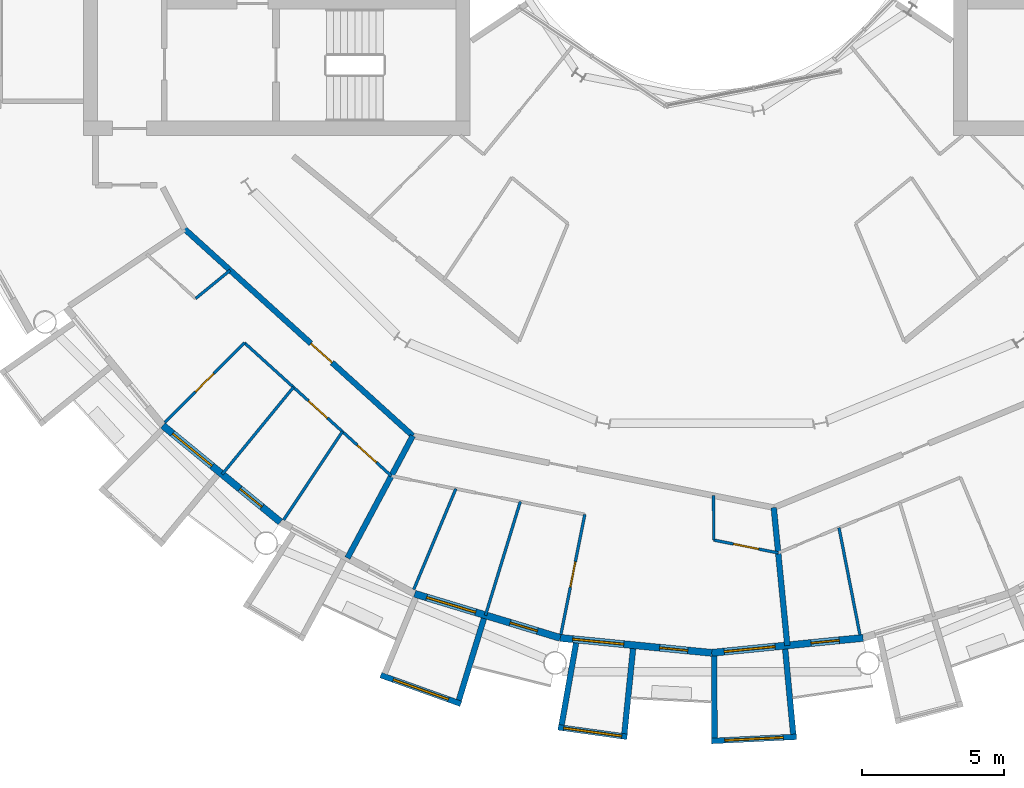
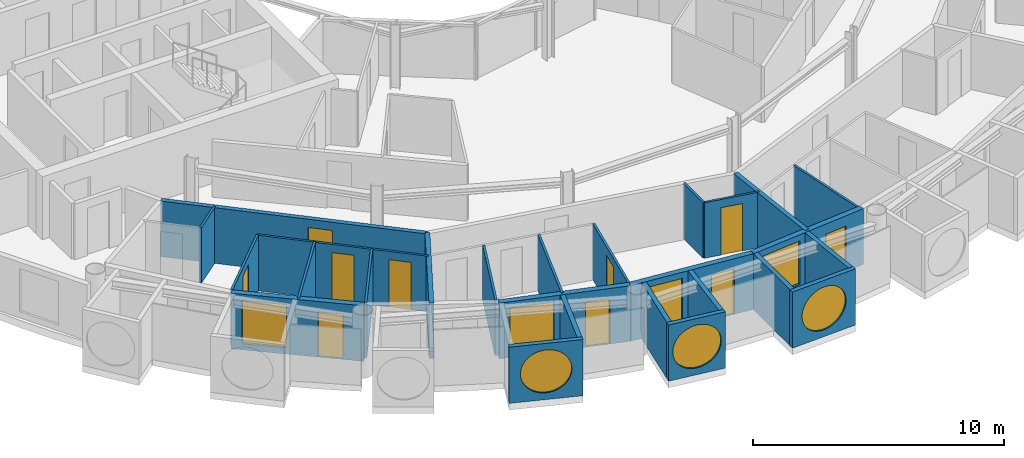
# One storey, part 14 of 27: 26 walls, 10 doors, 7 windows, 17 openings.
"""IFC4 building model written with IfcOpenShell, lengths in metres."""

from ifc_helpers import new_model, si_unit, direction, frame, frame_2d, origin, place, context, subcontext, project, spatial, rectangle, circle, extrude, material, layer, layer_set, type_object, element, fill, save


model = new_model("IFC4")

# Units and contexts
model_context = context("Model", 3, precision=1e-05, world=origin(), true_north=direction((0.0, 1.0)))
body_context = subcontext(model_context, "Body", "Model", "MODEL_VIEW")
ifc_project = project(units=[si_unit("LENGTHUNIT", "METRE"), si_unit("AREAUNIT", "SQUARE_METRE"), si_unit("VOLUMEUNIT", "CUBIC_METRE"), si_unit("PLANEANGLEUNIT", "RADIAN"), si_unit("MASSUNIT", "GRAM", prefix="KILO")], contexts=[model_context])

# Site, building, storey
site_placement = place(None, origin())
site = spatial("IfcSite", under=ifc_project, at=site_placement, CompositionType="ELEMENT")
building_placement = place(site_placement, origin())
building = spatial("IfcBuilding", under=site, at=building_placement, Name="Maasbend Ring Residences", CompositionType="ELEMENT")
storey_placement = place(building_placement, frame((0.0, 0.0, 148.25)))
storey = spatial("IfcBuildingStorey", under=building, at=storey_placement, Name="L42", CompositionType="ELEMENT", Elevation=148.25)

# Wall, opening, door
ifc_material_1 = material(Name="Concrete C30/37", Category="concrete")
ifc_layer_1 = layer(ifc_material_1, 0.199951171875)
ifc_layer_set_1 = layer_set([ifc_layer_1], Name="Concrete C30/37")
wall_type_1 = type_object("IfcWallType", Name="CORRIDOR WALL 200 CONCRETE", PredefinedType="PARTITIONING", material=ifc_layer_set_1)
wall_1_placement = place(storey_placement, frame((-18.5419921875, -12.388916015625, 0.0), z_axis=(0.0, 0.0, 1.0), x_axis=(0.740947367223, -0.671563101283, 0.0)))
wall_1 = element("IfcWall", 1, at=wall_1_placement, inside=storey, type_object=wall_type_1, Name="U-L42-w014", PredefinedType="PARTITIONING", context=body_context, shape_type="SweptSolid", body=[
    extrude(rectangle(XDim=10.83740234375, YDim=0.199951171875, at=frame_2d((5.418701171875, 0.0))), origin(), (0.0, 0.0, 1.0), 2.699951171875),
])
opening_1_placement = place(wall_1_placement, frame((6.001953125, 0.0, 0.0)))
opening_1 = element("IfcOpeningElement", 2, at=opening_1_placement, cuts=wall_1, Name="Opening D-4233", PredefinedType="OPENING", context=body_context, shape_type="SweptSolid", body=[
    extrude(rectangle(XDim=1.0, YDim=2.300048828125, at=frame_2d((0.5, 1.14990234375))), frame((0.0, 0.10986328125, 0.0), z_axis=(0.0, -1.0, 0.0), x_axis=(1.0, 0.0, 0.0)), (0.0, 0.0, 1.0), 0.219970703125),
])
ifc_material_2 = material(Name="Timber, fire-rated, painted", Category="wood")
door_type_1 = type_object("IfcDoorType", Name="FLAT ENTRANCE DOOR 1000 X 2300 FIRE-RATED", OperationType="NOTDEFINED", PredefinedType="DOOR", material=ifc_material_2)
door_1_placement = place(opening_1_placement, origin())
door_1 = element("IfcDoor", 3, at=door_1_placement, inside=storey, type_object=door_type_1, Name="D-4233", OperationType="SINGLE_SWING_RIGHT", OverallHeight=2.300048828125, OverallWidth=1.0, PredefinedType="DOOR", context=body_context, shape_type="SweptSolid", body=[
    extrude(rectangle(XDim=1.0, YDim=2.300048828125, at=frame_2d((0.5, 1.14990234375))), frame((0.0, 0.02490234375, 0.0), z_axis=(0.0, -1.0, 0.0), x_axis=(1.0, 0.0, 0.0)), (0.0, 0.0, 1.0), 0.050048828125),
])
fill(opening_1, door_1)

# Wall, opening, window
ifc_material_3 = material(Name="Pale anodised aluminium panel", Category="aluminium")
ifc_layer_2 = layer(ifc_material_3, 0.199951171875)
ifc_layer_set_2 = layer_set([ifc_layer_2], Name="EW-BOX")
wall_type_2 = type_object("IfcWallType", Name="EW-BOX", PredefinedType="SOLIDWALL", material=ifc_layer_set_2)
wall_2_placement = place(storey_placement, frame((-11.637939453125, -28.083984375, -0.030029296875), z_axis=(0.0, 0.0, 1.0), x_axis=(0.941461077774, -0.337121697664, 0.0)))
wall_2 = element("IfcWall", 4, at=wall_2_placement, inside=storey, type_object=wall_type_2, Name="Box front S07", PredefinedType="SOLIDWALL", context=body_context, shape_type="SweptSolid", body=[
    extrude(rectangle(XDim=2.9931640625, YDim=0.199951171875, at=frame_2d((1.49658203125, 0.0))), origin(), (0.0, 0.0, 1.0), 2.72998046875),
])
opening_2_placement = place(wall_2_placement, frame((0.45654296875, 0.0, 0.330078125)))
opening_2 = element("IfcOpeningElement", 5, at=opening_2_placement, cuts=wall_2, Name="Opening W-RD", PredefinedType="OPENING", context=body_context, shape_type="SweptSolid", body=[
    extrude(circle(Radius=1.0400390625, at=frame_2d((1.0400390625, 1.0400390625))), frame((0.0, 0.10986328125, 0.0), z_axis=(0.0, -1.0, 0.0), x_axis=(1.0, 0.0, 0.0)), (0.0, 0.0, 1.0), 0.219970703125),
])
ifc_material_4 = material(Name="Aluminium and clear glass", Category="aluminium")
window_type_1 = type_object("IfcWindowType", Name="W-RD", PartitioningType="SINGLE_PANEL", PredefinedType="WINDOW", material=ifc_material_4)
window_1_placement = place(opening_2_placement, origin())
window_1 = element("IfcWindow", 6, at=window_1_placement, inside=storey, type_object=window_type_1, Name="Round window S07", OverallHeight=2.080078125, OverallWidth=2.080078125, PartitioningType="SINGLE_PANEL", PredefinedType="WINDOW", context=body_context, shape_type="SweptSolid", body=[
    extrude(circle(Radius=1.0400390625, at=frame_2d((1.0400390625, 1.0400390625))), frame((0.0, 0.030029296875, 0.0), z_axis=(0.0, -1.0, 0.0), x_axis=(1.0, 0.0, 0.0)), (0.0, 0.0, 1.0), 0.06005859375),
])
fill(opening_2, window_1)

# Wall
wall_3_placement = place(storey_placement, frame((-8.009033203125, -26.092041015625, -0.030029296875), z_axis=(0.0, 0.0, 1.0), x_axis=(-0.293406695073, -0.955987715029, 0.0)))
element("IfcWall", 7, at=wall_3_placement, inside=storey, type_object=wall_type_2, Name="Box side wall S07 right", PredefinedType="SOLIDWALL", context=body_context, shape_type="SweptSolid", body=[
    extrude(rectangle(XDim=3.00634765625, YDim=0.199951171875, at=frame_2d((1.503173828125, 0.0))), origin(), (0.0, 0.0, 1.0), 2.72998046875),
])

# Wall, opening, window
wall_4_placement = place(storey_placement, frame((-5.39794921875, -29.9169921875, -0.030029296875), z_axis=(0.0, 0.0, 1.0), x_axis=(0.990462016113, -0.137786046596, 0.0)))
wall_4 = element("IfcWall", 8, at=wall_4_placement, inside=storey, type_object=wall_type_2, Name="Box front S09", PredefinedType="SOLIDWALL", context=body_context, shape_type="SweptSolid", body=[
    extrude(rectangle(XDim=2.4453125, YDim=0.199951171875, at=frame_2d((1.22265625, 0.0))), origin(), (0.0, 0.0, 1.0), 2.72998046875),
])
opening_3_placement = place(wall_4_placement, frame((0.182861328125, 0.0, 0.330078125)))
opening_3 = element("IfcOpeningElement", 9, at=opening_3_placement, cuts=wall_4, Name="Opening W-RD", PredefinedType="OPENING", context=body_context, shape_type="SweptSolid", body=[
    extrude(circle(Radius=1.0400390625, at=frame_2d((1.0400390625, 1.0400390625))), frame((0.0, 0.10986328125, 0.0), z_axis=(0.0, -1.0, 0.0), x_axis=(1.0, 0.0, 0.0)), (0.0, 0.0, 1.0), 0.219970703125),
])
window_2_placement = place(opening_3_placement, origin())
window_2 = element("IfcWindow", 10, at=window_2_placement, inside=storey, type_object=window_type_1, Name="Round window S09", OverallHeight=2.080078125, OverallWidth=2.080078125, PartitioningType="SINGLE_PANEL", PredefinedType="WINDOW", context=body_context, shape_type="SweptSolid", body=[
    extrude(circle(Radius=1.0400390625, at=frame_2d((1.0400390625, 1.0400390625))), frame((0.0, 0.030029296875, 0.0), z_axis=(0.0, -1.0, 0.0), x_axis=(1.0, 0.0, 0.0)), (0.0, 0.0, 1.0), 0.06005859375),
])
fill(opening_3, window_2)

# Walls
wall_5_placement = place(storey_placement, frame((-4.76904296875, -26.9560546875, -0.030029296875), z_axis=(0.0, 0.0, 1.0), x_axis=(-0.174056778901, -0.984735618183, 0.0)))
element("IfcWall", 11, at=wall_5_placement, inside=storey, type_object=wall_type_2, Name="Box side wall S09 left", PredefinedType="SOLIDWALL", context=body_context, shape_type="SweptSolid", body=[
    extrude(rectangle(XDim=2.924560546875, YDim=0.199951171875, at=frame_2d((1.46240234375, 0.0))), origin(), (0.0, 0.0, 1.0), 2.72998046875),
])
wall_6_placement = place(storey_placement, frame((-2.763916015625, -27.153076171875, -0.030029296875), z_axis=(0.0, 0.0, 1.0), x_axis=(-0.101505487237, -0.994834979311, 0.0)))
element("IfcWall", 12, at=wall_6_placement, inside=storey, type_object=wall_type_2, Name="Box side wall S09 right", PredefinedType="SOLIDWALL", context=body_context, shape_type="SweptSolid", body=[
    extrude(rectangle(XDim=3.006591796875, YDim=0.199951171875, at=frame_2d((1.50341796875, 0.0))), origin(), (0.0, 0.0, 1.0), 2.72998046875),
])

# Wall, opening, window
wall_7_placement = place(storey_placement, frame((-0.0048828125, -30.39990234375, -0.030029296875), z_axis=(0.0, 0.0, 1.0), x_axis=(0.998794083011, 0.049095618353, 0.0)))
wall_7 = element("IfcWall", 13, at=wall_7_placement, inside=storey, type_object=wall_type_2, Name="Box front S11", PredefinedType="SOLIDWALL", context=body_context, shape_type="SweptSolid", body=[
    extrude(rectangle(XDim=2.99365234375, YDim=0.199951171875, at=frame_2d((1.496826171875, 0.0))), origin(), (0.0, 0.0, 1.0), 2.72998046875),
])
opening_4_placement = place(wall_7_placement, frame((0.45654296875, 0.0, 0.330078125)))
opening_4 = element("IfcOpeningElement", 14, at=opening_4_placement, cuts=wall_7, Name="Opening W-RD", PredefinedType="OPENING", context=body_context, shape_type="SweptSolid", body=[
    extrude(circle(Radius=1.0400390625, at=frame_2d((1.0400390625, 1.0400390625))), frame((0.0, 0.10986328125, 0.0), z_axis=(0.0, -1.0, 0.0), x_axis=(1.0, 0.0, 0.0)), (0.0, 0.0, 1.0), 0.219970703125),
])
window_3_placement = place(opening_4_placement, origin())
window_3 = element("IfcWindow", 15, at=window_3_placement, inside=storey, type_object=window_type_1, Name="Round window S11", OverallHeight=2.080078125, OverallWidth=2.080078125, PartitioningType="SINGLE_PANEL", PredefinedType="WINDOW", context=body_context, shape_type="SweptSolid", body=[
    extrude(circle(Radius=1.0400390625, at=frame_2d((1.0400390625, 1.0400390625))), frame((0.0, 0.030029296875, 0.0), z_axis=(0.0, -1.0, 0.0), x_axis=(1.0, 0.0, 0.0)), (0.0, 0.0, 1.0), 0.06005859375),
])
fill(opening_4, window_3)

# Walls
wall_8_placement = place(storey_placement, frame((0.090087890625, -27.4169921875, -0.030029296875), z_axis=(0.0, 0.0, 1.0), x_axis=(0.00347308367, -0.999993968827, 0.0)))
element("IfcWall", 16, at=wall_8_placement, inside=storey, type_object=wall_type_2, Name="Box side wall S11 left", PredefinedType="SOLIDWALL", context=body_context, shape_type="SweptSolid", body=[
    extrude(rectangle(XDim=2.882080078125, YDim=0.199951171875, at=frame_2d((1.44091796875, 0.0))), origin(), (0.0, 0.0, 1.0), 2.72998046875),
])
wall_9_placement = place(storey_placement, frame((2.5859375, -27.1708984375, -0.030029296875), z_axis=(0.0, 0.0, 1.0), x_axis=(0.094548432284, -0.995520262954, 0.0)))
element("IfcWall", 17, at=wall_9_placement, inside=storey, type_object=wall_type_2, Name="Box side wall S11 right", PredefinedType="SOLIDWALL", context=body_context, shape_type="SweptSolid", body=[
    extrude(rectangle(XDim=3.005615234375, YDim=0.199951171875, at=frame_2d((1.5029296875, 0.0))), origin(), (0.0, 0.0, 1.0), 2.72998046875),
])

# Wall, openings, door, window
ifc_material_5 = material(Name="Aluminium clad insulated panel", Category="aluminium")
ifc_layer_3 = layer(ifc_material_5, 0.25)
ifc_layer_set_3 = layer_set([ifc_layer_3], Name="EW-GL")
wall_type_3 = type_object("IfcWallType", Name="EW-GL", PredefinedType="SOLIDWALL", material=ifc_layer_set_3)
wall_10_placement = place(storey_placement, frame((-19.303955078125, -19.303955078125, 0.0), z_axis=(0.0, 0.0, 1.0), x_axis=(0.773019449054, -0.634382322723, 0.0)))
wall_10 = element("IfcWall", 18, at=wall_10_placement, inside=storey, type_object=wall_type_3, Name="External wall S02", PredefinedType="SOLIDWALL", context=body_context, shape_type="SweptSolid", body=[
    extrude(rectangle(XDim=5.351806640625, YDim=0.25, at=frame_2d((2.67578125, 0.0))), origin(), (0.0, 0.0, 1.0), 2.699951171875),
])
opening_5_placement = place(wall_10_placement, frame((0.441162109375, 0.0, 0.300048828125)))
opening_5 = element("IfcOpeningElement", 19, at=opening_5_placement, cuts=wall_10, Name="Opening W-BX", PredefinedType="OPENING", context=body_context, shape_type="SweptSolid", body=[
    extrude(rectangle(XDim=1.800048828125, YDim=2.10009765625, at=frame_2d((0.89990234375, 1.050048828125))), frame((0.0, 0.135009765625, 0.0), z_axis=(0.0, -1.0, 0.0), x_axis=(1.0, 0.0, 0.0)), (0.0, 0.0, 1.0), 0.27001953125),
])
opening_6_placement = place(wall_10_placement, frame((3.510498046875, 0.0, 0.0)))
opening_6 = element("IfcOpeningElement", 20, at=opening_6_placement, cuts=wall_10, Name="Opening D-LG", PredefinedType="OPENING", context=body_context, shape_type="SweptSolid", body=[
    extrude(rectangle(XDim=1.0, YDim=2.199951171875, at=frame_2d((0.5, 1.10009765625))), frame((0.0, 0.135009765625, 0.0), z_axis=(0.0, -1.0, 0.0), x_axis=(1.0, 0.0, 0.0)), (0.0, 0.0, 1.0), 0.27001953125),
])
ifc_material_6 = material(Name="Aluminium and clear glass", Category="aluminium")
door_type_2 = type_object("IfcDoorType", Name="D-LG", OperationType="SINGLE_SWING_LEFT", PredefinedType="DOOR", material=ifc_material_6)
door_2_placement = place(opening_6_placement, origin())
door_2 = element("IfcDoor", 21, at=door_2_placement, inside=storey, type_object=door_type_2, Name="Loggia door S04", OperationType="SINGLE_SWING_LEFT", OverallHeight=2.199951171875, OverallWidth=1.0, PredefinedType="DOOR", context=body_context, shape_type="SweptSolid", body=[
    extrude(rectangle(XDim=1.0, YDim=2.199951171875, at=frame_2d((0.5, 1.10009765625))), frame((0.0, 0.02490234375, 0.0), z_axis=(0.0, -1.0, 0.0), x_axis=(1.0, 0.0, 0.0)), (0.0, 0.0, 1.0), 0.050048828125),
])
fill(opening_6, door_2)
ifc_material_7 = material(Name="Aluminium and clear glass", Category="aluminium")
window_type_2 = type_object("IfcWindowType", Name="W-BX", PartitioningType="DOUBLE_PANEL_VERTICAL", PredefinedType="WINDOW", material=ifc_material_7)
window_4_placement = place(opening_5_placement, origin())
window_4 = element("IfcWindow", 22, at=window_4_placement, inside=storey, type_object=window_type_2, Name="Window S03 room to box", OverallHeight=2.10009765625, OverallWidth=1.800048828125, PartitioningType="SINGLE_PANEL", PredefinedType="WINDOW", context=body_context, shape_type="SweptSolid", body=[
    extrude(rectangle(XDim=1.800048828125, YDim=2.10009765625, at=frame_2d((0.89990234375, 1.050048828125))), frame((0.0, 0.030029296875, 0.0), z_axis=(0.0, -1.0, 0.0), x_axis=(1.0, 0.0, 0.0)), (0.0, 0.0, 1.0), 0.06005859375),
])
fill(opening_5, window_4)

wall_11_placement = place(storey_placement, frame((-10.447021484375, -25.221923828125, 0.0), z_axis=(0.0, 0.0, 1.0), x_axis=(0.956965678721, -0.290201119486, 0.0)))
wall_11 = element("IfcWall", 23, at=wall_11_placement, inside=storey, type_object=wall_type_3, Name="External wall S04", PredefinedType="SOLIDWALL", context=body_context, shape_type="SweptSolid", body=[
    extrude(rectangle(XDim=5.351318359375, YDim=0.25, at=frame_2d((2.67578125, 0.0))), origin(), (0.0, 0.0, 1.0), 2.699951171875),
])
opening_7_placement = place(wall_11_placement, frame((0.441162109375, 0.0, 0.300048828125)))
opening_7 = element("IfcOpeningElement", 24, at=opening_7_placement, cuts=wall_11, Name="Opening W-BX", PredefinedType="OPENING", context=body_context, shape_type="SweptSolid", body=[
    extrude(rectangle(XDim=1.800048828125, YDim=2.10009765625, at=frame_2d((0.89990234375, 1.050048828125))), frame((0.0, 0.135009765625, 0.0), z_axis=(0.0, -1.0, 0.0), x_axis=(1.0, 0.0, 0.0)), (0.0, 0.0, 1.0), 0.27001953125),
])
opening_8_placement = place(wall_11_placement, frame((3.510498046875, 0.0, 0.0)))
opening_8 = element("IfcOpeningElement", 25, at=opening_8_placement, cuts=wall_11, Name="Opening D-LG", PredefinedType="OPENING", context=body_context, shape_type="SweptSolid", body=[
    extrude(rectangle(XDim=1.0, YDim=2.199951171875, at=frame_2d((0.5, 1.10009765625))), frame((0.0, 0.135009765625, 0.0), z_axis=(0.0, -1.0, 0.0), x_axis=(1.0, 0.0, 0.0)), (0.0, 0.0, 1.0), 0.27001953125),
])
door_3_placement = place(opening_8_placement, origin())
door_3 = element("IfcDoor", 26, at=door_3_placement, inside=storey, type_object=door_type_2, Name="Loggia door S08", OperationType="SINGLE_SWING_LEFT", OverallHeight=2.199951171875, OverallWidth=1.0, PredefinedType="DOOR", context=body_context, shape_type="SweptSolid", body=[
    extrude(rectangle(XDim=1.0, YDim=2.199951171875, at=frame_2d((0.5, 1.10009765625))), frame((0.0, 0.02490234375, 0.0), z_axis=(0.0, -1.0, 0.0), x_axis=(1.0, 0.0, 0.0)), (0.0, 0.0, 1.0), 0.050048828125),
])
fill(opening_8, door_3)
window_5_placement = place(opening_7_placement, origin())
window_5 = element("IfcWindow", 27, at=window_5_placement, inside=storey, type_object=window_type_2, Name="Window S07 room to box", OverallHeight=2.10009765625, OverallWidth=1.800048828125, PartitioningType="SINGLE_PANEL", PredefinedType="WINDOW", context=body_context, shape_type="SweptSolid", body=[
    extrude(rectangle(XDim=1.800048828125, YDim=2.10009765625, at=frame_2d((0.89990234375, 1.050048828125))), frame((0.0, 0.030029296875, 0.0), z_axis=(0.0, -1.0, 0.0), x_axis=(1.0, 0.0, 0.0)), (0.0, 0.0, 1.0), 0.06005859375),
])
fill(opening_7, window_5)

wall_12_placement = place(storey_placement, frame((-5.325927734375, -26.77490234375, 0.0), z_axis=(0.0, 0.0, 1.0), x_axis=(0.995173996315, -0.098126026407, 0.0)))
wall_12 = element("IfcWall", 28, at=wall_12_placement, inside=storey, type_object=wall_type_3, Name="External wall S05", PredefinedType="SOLIDWALL", context=body_context, shape_type="SweptSolid", body=[
    extrude(rectangle(XDim=5.351806640625, YDim=0.25, at=frame_2d((2.67578125, 0.0))), origin(), (0.0, 0.0, 1.0), 2.699951171875),
])
opening_9_placement = place(wall_12_placement, frame((0.441162109375, 0.0, 0.300048828125)))
opening_9 = element("IfcOpeningElement", 29, at=opening_9_placement, cuts=wall_12, Name="Opening W-BX", PredefinedType="OPENING", context=body_context, shape_type="SweptSolid", body=[
    extrude(rectangle(XDim=1.800048828125, YDim=2.10009765625, at=frame_2d((0.89990234375, 1.050048828125))), frame((0.0, 0.135009765625, 0.0), z_axis=(0.0, -1.0, 0.0), x_axis=(1.0, 0.0, 0.0)), (0.0, 0.0, 1.0), 0.27001953125),
])
opening_10_placement = place(wall_12_placement, frame((3.510498046875, 0.0, 0.0)))
opening_10 = element("IfcOpeningElement", 30, at=opening_10_placement, cuts=wall_12, Name="Opening D-LG", PredefinedType="OPENING", context=body_context, shape_type="SweptSolid", body=[
    extrude(rectangle(XDim=1.0, YDim=2.199951171875, at=frame_2d((0.5, 1.10009765625))), frame((0.0, 0.135009765625, 0.0), z_axis=(0.0, -1.0, 0.0), x_axis=(1.0, 0.0, 0.0)), (0.0, 0.0, 1.0), 0.27001953125),
])
door_4_placement = place(opening_10_placement, origin())
door_4 = element("IfcDoor", 31, at=door_4_placement, inside=storey, type_object=door_type_2, Name="Loggia door S10", OperationType="SINGLE_SWING_LEFT", OverallHeight=2.199951171875, OverallWidth=1.0, PredefinedType="DOOR", context=body_context, shape_type="SweptSolid", body=[
    extrude(rectangle(XDim=1.0, YDim=2.199951171875, at=frame_2d((0.5, 1.10009765625))), frame((0.0, 0.02490234375, 0.0), z_axis=(0.0, -1.0, 0.0), x_axis=(1.0, 0.0, 0.0)), (0.0, 0.0, 1.0), 0.050048828125),
])
fill(opening_10, door_4)
window_6_placement = place(opening_9_placement, origin())
window_6 = element("IfcWindow", 32, at=window_6_placement, inside=storey, type_object=window_type_2, Name="Window S09 room to box", OverallHeight=2.10009765625, OverallWidth=1.800048828125, PartitioningType="SINGLE_PANEL", PredefinedType="WINDOW", context=body_context, shape_type="SweptSolid", body=[
    extrude(rectangle(XDim=1.800048828125, YDim=2.10009765625, at=frame_2d((0.89990234375, 1.050048828125))), frame((0.0, 0.030029296875, 0.0), z_axis=(0.0, -1.0, 0.0), x_axis=(1.0, 0.0, 0.0)), (0.0, 0.0, 1.0), 0.06005859375),
])
fill(opening_9, window_6)

wall_13_placement = place(storey_placement, frame((0.0, -27.300048828125, 0.0), z_axis=(0.0, 0.0, 1.0), x_axis=(0.995173996315, 0.098126026407, 0.0)))
wall_13 = element("IfcWall", 33, at=wall_13_placement, inside=storey, type_object=wall_type_3, Name="External wall S06", PredefinedType="SOLIDWALL", context=body_context, shape_type="SweptSolid", body=[
    extrude(rectangle(XDim=5.351806640625, YDim=0.25, at=frame_2d((2.67578125, 0.0))), origin(), (0.0, 0.0, 1.0), 2.699951171875),
])
opening_11_placement = place(wall_13_placement, frame((0.441162109375, 0.0, 0.300048828125)))
opening_11 = element("IfcOpeningElement", 34, at=opening_11_placement, cuts=wall_13, Name="Opening W-BX", PredefinedType="OPENING", context=body_context, shape_type="SweptSolid", body=[
    extrude(rectangle(XDim=1.800048828125, YDim=2.10009765625, at=frame_2d((0.89990234375, 1.050048828125))), frame((0.0, 0.135009765625, 0.0), z_axis=(0.0, -1.0, 0.0), x_axis=(1.0, 0.0, 0.0)), (0.0, 0.0, 1.0), 0.27001953125),
])
opening_12_placement = place(wall_13_placement, frame((3.510498046875, 0.0, 0.0)))
opening_12 = element("IfcOpeningElement", 35, at=opening_12_placement, cuts=wall_13, Name="Opening D-LG", PredefinedType="OPENING", context=body_context, shape_type="SweptSolid", body=[
    extrude(rectangle(XDim=1.0, YDim=2.199951171875, at=frame_2d((0.5, 1.10009765625))), frame((0.0, 0.135009765625, 0.0), z_axis=(0.0, -1.0, 0.0), x_axis=(1.0, 0.0, 0.0)), (0.0, 0.0, 1.0), 0.27001953125),
])
door_5_placement = place(opening_12_placement, origin())
door_5 = element("IfcDoor", 36, at=door_5_placement, inside=storey, type_object=door_type_2, Name="Loggia door S12", OperationType="SINGLE_SWING_LEFT", OverallHeight=2.199951171875, OverallWidth=1.0, PredefinedType="DOOR", context=body_context, shape_type="SweptSolid", body=[
    extrude(rectangle(XDim=1.0, YDim=2.199951171875, at=frame_2d((0.5, 1.10009765625))), frame((0.0, 0.02490234375, 0.0), z_axis=(0.0, -1.0, 0.0), x_axis=(1.0, 0.0, 0.0)), (0.0, 0.0, 1.0), 0.050048828125),
])
fill(opening_12, door_5)
window_7_placement = place(opening_11_placement, origin())
window_7 = element("IfcWindow", 37, at=window_7_placement, inside=storey, type_object=window_type_2, Name="Window S11 room to box", OverallHeight=2.10009765625, OverallWidth=1.800048828125, PartitioningType="SINGLE_PANEL", PredefinedType="WINDOW", context=body_context, shape_type="SweptSolid", body=[
    extrude(rectangle(XDim=1.800048828125, YDim=2.10009765625, at=frame_2d((0.89990234375, 1.050048828125))), frame((0.0, 0.030029296875, 0.0), z_axis=(0.0, -1.0, 0.0), x_axis=(1.0, 0.0, 0.0)), (0.0, 0.0, 1.0), 0.06005859375),
])
fill(opening_11, window_7)

# Wall, openings, doors
ifc_material_8 = material(Name="Gypsum board on steel studs", Category="steel")
ifc_layer_4 = layer(ifc_material_8, 0.10009765625)
ifc_layer_set_4 = layer_set([ifc_layer_4], Name="PARTITION 100 GYPSUM")
wall_type_4 = type_object("IfcWallType", Name="PARTITION 100 GYPSUM", PredefinedType="PARTITIONING", material=ifc_layer_set_4)
wall_14_placement = place(storey_placement, frame((-16.431884765625, -16.39599609375, 0.0), z_axis=(0.0, 0.0, 1.0), x_axis=(0.740901429238, -0.671613781986, 0.0)))
wall_14 = element("IfcWall", 38, at=wall_14_placement, inside=storey, type_object=wall_type_4, Name="U-L42-w004", PredefinedType="PARTITIONING", context=body_context, shape_type="SweptSolid", body=[
    extrude(rectangle(XDim=6.9697265625, YDim=0.10009765625, at=frame_2d((3.48486328125, 0.0))), origin(), (0.0, 0.0, 1.0), 2.699951171875),
])
opening_13_placement = place(wall_14_placement, frame((3.0380859375, 0.0, 0.0)))
opening_13 = element("IfcOpeningElement", 39, at=opening_13_placement, cuts=wall_14, Name="Opening D-4236", PredefinedType="OPENING", context=body_context, shape_type="SweptSolid", body=[
    extrude(rectangle(XDim=0.89990234375, YDim=2.300048828125, at=frame_2d((0.449951171875, 1.14990234375))), frame((0.0, 0.06005859375, 0.0), z_axis=(0.0, -1.0, 0.0), x_axis=(1.0, 0.0, 0.0)), (0.0, 0.0, 1.0), 0.1201171875),
])
opening_14_placement = place(wall_14_placement, frame((5.360107421875, 0.0, 0.0)))
opening_14 = element("IfcOpeningElement", 40, at=opening_14_placement, cuts=wall_14, Name="Opening D-4237", PredefinedType="OPENING", context=body_context, shape_type="SweptSolid", body=[
    extrude(rectangle(XDim=0.89990234375, YDim=2.300048828125, at=frame_2d((0.449951171875, 1.14990234375))), frame((0.0, 0.06005859375, 0.0), z_axis=(0.0, -1.0, 0.0), x_axis=(1.0, 0.0, 0.0)), (0.0, 0.0, 1.0), 0.1201171875),
])
ifc_material_9 = material(Name="Timber, painted", Category="wood")
door_type_3 = type_object("IfcDoorType", Name="INTERNAL DOOR 900 X 2300", OperationType="NOTDEFINED", PredefinedType="DOOR", material=ifc_material_9)
door_6_placement = place(opening_13_placement, origin())
door_6 = element("IfcDoor", 41, at=door_6_placement, inside=storey, type_object=door_type_3, Name="D-4236", OperationType="SINGLE_SWING_RIGHT", OverallHeight=2.300048828125, OverallWidth=0.89990234375, PredefinedType="DOOR", context=body_context, shape_type="SweptSolid", body=[
    extrude(rectangle(XDim=0.89990234375, YDim=2.300048828125, at=frame_2d((0.449951171875, 1.14990234375))), frame((0.0, 0.02490234375, 0.0), z_axis=(0.0, -1.0, 0.0), x_axis=(1.0, 0.0, 0.0)), (0.0, 0.0, 1.0), 0.050048828125),
])
fill(opening_13, door_6)
door_7_placement = place(opening_14_placement, origin())
door_7 = element("IfcDoor", 42, at=door_7_placement, inside=storey, type_object=door_type_3, Name="D-4237", OperationType="SINGLE_SWING_RIGHT", OverallHeight=2.300048828125, OverallWidth=0.89990234375, PredefinedType="DOOR", context=body_context, shape_type="SweptSolid", body=[
    extrude(rectangle(XDim=0.89990234375, YDim=2.300048828125, at=frame_2d((0.449951171875, 1.14990234375))), frame((0.0, 0.02490234375, 0.0), z_axis=(0.0, -1.0, 0.0), x_axis=(1.0, 0.0, 0.0)), (0.0, 0.0, 1.0), 0.050048828125),
])
fill(opening_14, door_7)

# Wall, opening, door
wall_15_placement = place(storey_placement, frame((0.073974609375, -23.333984375, 0.0), z_axis=(0.0, 0.0, 1.0), x_axis=(0.98081942231, -0.194918600496, 0.0)))
wall_15 = element("IfcWall", 43, at=wall_15_placement, inside=storey, type_object=wall_type_4, Name="U-L42-w006", PredefinedType="PARTITIONING", context=body_context, shape_type="SweptSolid", body=[
    extrude(rectangle(XDim=2.3134765625, YDim=0.10009765625, at=frame_2d((1.15673828125, 0.0))), origin(), (0.0, 0.0, 1.0), 2.699951171875),
])
opening_15_placement = place(wall_15_placement, frame((0.70703125, 0.0, 0.0)))
opening_15 = element("IfcOpeningElement", 44, at=opening_15_placement, cuts=wall_15, Name="Opening D-4239", PredefinedType="OPENING", context=body_context, shape_type="SweptSolid", body=[
    extrude(rectangle(XDim=0.89990234375, YDim=2.300048828125, at=frame_2d((0.449951171875, 1.14990234375))), frame((0.0, 0.06005859375, 0.0), z_axis=(0.0, -1.0, 0.0), x_axis=(1.0, 0.0, 0.0)), (0.0, 0.0, 1.0), 0.1201171875),
])
door_8_placement = place(opening_15_placement, origin())
door_8 = element("IfcDoor", 45, at=door_8_placement, inside=storey, type_object=door_type_3, Name="D-4239", OperationType="SINGLE_SWING_RIGHT", OverallHeight=2.300048828125, OverallWidth=0.89990234375, PredefinedType="DOOR", context=body_context, shape_type="SweptSolid", body=[
    extrude(rectangle(XDim=0.89990234375, YDim=2.300048828125, at=frame_2d((0.449951171875, 1.14990234375))), frame((0.0, 0.02490234375, 0.0), z_axis=(0.0, -1.0, 0.0), x_axis=(1.0, 0.0, 0.0)), (0.0, 0.0, 1.0), 0.050048828125),
])
fill(opening_15, door_8)

wall_16_placement = place(storey_placement, frame((-19.23388671875, -19.197021484375, 0.0), z_axis=(0.0, 0.0, 1.0), x_axis=(0.707722727509, 0.706490297858, 0.0)))
wall_16 = element("IfcWall", 46, at=wall_16_placement, inside=storey, type_object=wall_type_4, Name="U-L42-w034", PredefinedType="PARTITIONING", context=body_context, shape_type="SweptSolid", body=[
    extrude(rectangle(XDim=3.9619140625, YDim=0.10009765625, at=frame_2d((1.98095703125, 0.0))), origin(), (0.0, 0.0, 1.0), 2.699951171875),
])
opening_16_placement = place(wall_16_placement, frame((1.531005859375, 0.0, 0.0)))
opening_16 = element("IfcOpeningElement", 47, at=opening_16_placement, cuts=wall_16, Name="Opening D-4235", PredefinedType="OPENING", context=body_context, shape_type="SweptSolid", body=[
    extrude(rectangle(XDim=0.89990234375, YDim=2.300048828125, at=frame_2d((0.449951171875, 1.14990234375))), frame((0.0, 0.06005859375, 0.0), z_axis=(0.0, -1.0, 0.0), x_axis=(1.0, 0.0, 0.0)), (0.0, 0.0, 1.0), 0.1201171875),
])
door_9_placement = place(opening_16_placement, origin())
door_9 = element("IfcDoor", 48, at=door_9_placement, inside=storey, type_object=door_type_3, Name="D-4235", OperationType="SINGLE_SWING_LEFT", OverallHeight=2.300048828125, OverallWidth=0.89990234375, PredefinedType="DOOR", context=body_context, shape_type="SweptSolid", body=[
    extrude(rectangle(XDim=0.89990234375, YDim=2.300048828125, at=frame_2d((0.449951171875, 1.14990234375))), frame((0.0, 0.02490234375, 0.0), z_axis=(0.0, -1.0, 0.0), x_axis=(1.0, 0.0, 0.0)), (0.0, 0.0, 1.0), 0.050048828125),
])
fill(opening_16, door_9)

# Walls
wall_17_placement = place(storey_placement, frame((-18.15087890625, -14.837890625, 0.0), z_axis=(0.0, 0.0, 1.0), x_axis=(0.774283039722, 0.632839453889, 0.0)))
element("IfcWall", 49, at=wall_17_placement, inside=storey, type_object=wall_type_4, Name="U-L42-w035", PredefinedType="PARTITIONING", context=body_context, shape_type="SweptSolid", body=[
    extrude(rectangle(XDim=1.569091796875, YDim=0.10009765625, at=frame_2d((0.78466796875, 0.0))), origin(), (0.0, 0.0, 1.0), 2.699951171875),
])
wall_18_placement = place(storey_placement, frame((-17.218994140625, -21.02294921875, 0.0), z_axis=(0.0, 0.0, 1.0), x_axis=(0.633590098448, 0.773668913133, 0.0)))
element("IfcWall", 50, at=wall_18_placement, inside=storey, type_object=wall_type_4, Name="U-L42-w037", PredefinedType="PARTITIONING", context=body_context, shape_type="SweptSolid", body=[
    extrude(rectangle(XDim=3.961669921875, YDim=0.10009765625, at=frame_2d((1.98095703125, 0.0))), origin(), (0.0, 0.0, 1.0), 2.699951171875),
])
wall_19_placement = place(storey_placement, frame((-15.053955078125, -22.6240234375, 0.0), z_axis=(0.0, 0.0, 1.0), x_axis=(0.553823887887, 0.83263383381, 0.0)))
element("IfcWall", 51, at=wall_19_placement, inside=storey, type_object=wall_type_4, Name="U-L42-w040", PredefinedType="PARTITIONING", context=body_context, shape_type="SweptSolid", body=[
    extrude(rectangle(XDim=3.730224609375, YDim=0.10009765625, at=frame_2d((1.865234375, 0.0))), origin(), (0.0, 0.0, 1.0), 2.699951171875),
])
wall_20_placement = place(storey_placement, frame((-10.47900390625, -25.072998046875, 0.0), z_axis=(0.0, 0.0, 1.0), x_axis=(0.385572005139, 0.922677749192, 0.0)))
element("IfcWall", 52, at=wall_20_placement, inside=storey, type_object=wall_type_4, Name="U-L42-w044", PredefinedType="PARTITIONING", context=body_context, shape_type="SweptSolid", body=[
    extrude(rectangle(XDim=3.8408203125, YDim=0.10009765625, at=frame_2d((1.92041015625, 0.0))), origin(), (0.0, 0.0, 1.0), 2.699951171875),
])
wall_21_placement = place(storey_placement, frame((-7.9560546875, -25.98388671875, 0.0), z_axis=(0.0, 0.0, 1.0), x_axis=(0.292799128207, 0.956173975028, 0.0)))
element("IfcWall", 53, at=wall_21_placement, inside=storey, type_object=wall_type_4, Name="U-L42-w050", PredefinedType="PARTITIONING", context=body_context, shape_type="SweptSolid", body=[
    extrude(rectangle(XDim=4.1875, YDim=0.10009765625, at=frame_2d((2.09375, 0.0))), origin(), (0.0, 0.0, 1.0), 2.699951171875),
])

# Wall, opening, door
wall_22_placement = place(storey_placement, frame((-5.302001953125, -26.653076171875, 0.0), z_axis=(0.0, 0.0, 1.0), x_axis=(0.195145394338, 0.98077432423, 0.0)))
wall_22 = element("IfcWall", 54, at=wall_22_placement, inside=storey, type_object=wall_type_4, Name="U-L42-w053", PredefinedType="PARTITIONING", context=body_context, shape_type="SweptSolid", body=[
    extrude(rectangle(XDim=4.304931640625, YDim=0.10009765625, at=frame_2d((2.15234375, 0.0))), origin(), (0.0, 0.0, 1.0), 2.699951171875),
])
opening_17_placement = place(wall_22_placement, frame((1.701904296875, 0.0, 0.0)))
opening_17 = element("IfcOpeningElement", 55, at=opening_17_placement, cuts=wall_22, Name="Opening D-4240", PredefinedType="OPENING", context=body_context, shape_type="SweptSolid", body=[
    extrude(rectangle(XDim=0.89990234375, YDim=2.300048828125, at=frame_2d((0.449951171875, 1.14990234375))), frame((0.0, 0.06005859375, 0.0), z_axis=(0.0, -1.0, 0.0), x_axis=(1.0, 0.0, 0.0)), (0.0, 0.0, 1.0), 0.1201171875),
])
door_10_placement = place(opening_17_placement, origin())
door_10 = element("IfcDoor", 56, at=door_10_placement, inside=storey, type_object=door_type_3, Name="D-4240", OperationType="SINGLE_SWING_LEFT", OverallHeight=2.300048828125, OverallWidth=0.89990234375, PredefinedType="DOOR", context=body_context, shape_type="SweptSolid", body=[
    extrude(rectangle(XDim=0.89990234375, YDim=2.300048828125, at=frame_2d((0.449951171875, 1.14990234375))), frame((0.0, 0.02490234375, 0.0), z_axis=(0.0, -1.0, 0.0), x_axis=(1.0, 0.0, 0.0)), (0.0, 0.0, 1.0), 0.050048828125),
])
fill(opening_17, door_10)

# Walls
wall_23_placement = place(storey_placement, frame((0.073974609375, -23.333984375, 0.0), z_axis=(0.0, 0.0, 1.0), x_axis=(-0.003125961595, 0.99999511417, 0.0)))
element("IfcWall", 57, at=wall_23_placement, inside=storey, type_object=wall_type_4, Name="U-L42-w059", PredefinedType="PARTITIONING", context=body_context, shape_type="SweptSolid", body=[
    extrude(rectangle(XDim=1.56201171875, YDim=0.10009765625, at=frame_2d((0.781005859375, 0.0))), origin(), (0.0, 0.0, 1.0), 2.699951171875),
])
wall_24_placement = place(storey_placement, frame((4.47900390625, -22.89990234375, 0.0), z_axis=(0.0, 0.0, 1.0), x_axis=(0.192118055779, -0.981371821811, 0.0)))
element("IfcWall", 58, at=wall_24_placement, inside=storey, type_object=wall_type_4, Name="U-L42-w063", PredefinedType="PARTITIONING", context=body_context, shape_type="SweptSolid", body=[
    extrude(rectangle(XDim=3.841552734375, YDim=0.10009765625, at=frame_2d((1.9208984375, 0.0))), origin(), (0.0, 0.0, 1.0), 2.699951171875),
])
ifc_material_10 = material(Name="Concrete C30/37", Category="concrete")
ifc_layer_5 = layer(ifc_material_10, 0.199951171875)
ifc_layer_set_5 = layer_set([ifc_layer_5], Name="Concrete C30/37")
wall_type_5 = type_object("IfcWallType", Name="PARTY WALL 200 CONCRETE", PredefinedType="PARTITIONING", material=ifc_layer_set_5)
wall_25_placement = place(storey_placement, frame((-12.81005859375, -23.966064453125, 0.0), z_axis=(0.0, 0.0, 1.0), x_axis=(0.471427642527, 0.881904744211, 0.0)))
element("IfcWall", 59, at=wall_25_placement, inside=storey, type_object=wall_type_5, Name="U-L42-w041", PredefinedType="PARTITIONING", context=body_context, shape_type="SweptSolid", body=[
    extrude(rectangle(XDim=4.874755859375, YDim=0.199951171875, at=frame_2d((2.4375, 0.0))), origin(), (0.0, 0.0, 1.0), 2.699951171875),
])
wall_26_placement = place(storey_placement, frame((2.18408203125, -22.193115234375, 0.0), z_axis=(0.0, 0.0, 1.0), x_axis=(0.098070432075, -0.995179476453, 0.0)))
element("IfcWall", 60, at=wall_26_placement, inside=storey, type_object=wall_type_5, Name="U-L42-w060", PredefinedType="PARTITIONING", context=body_context, shape_type="SweptSolid", body=[
    extrude(rectangle(XDim=4.874267578125, YDim=0.199951171875, at=frame_2d((2.43701171875, 0.0))), origin(), (0.0, 0.0, 1.0), 2.699951171875),
])

save(model, "model.ifc")
